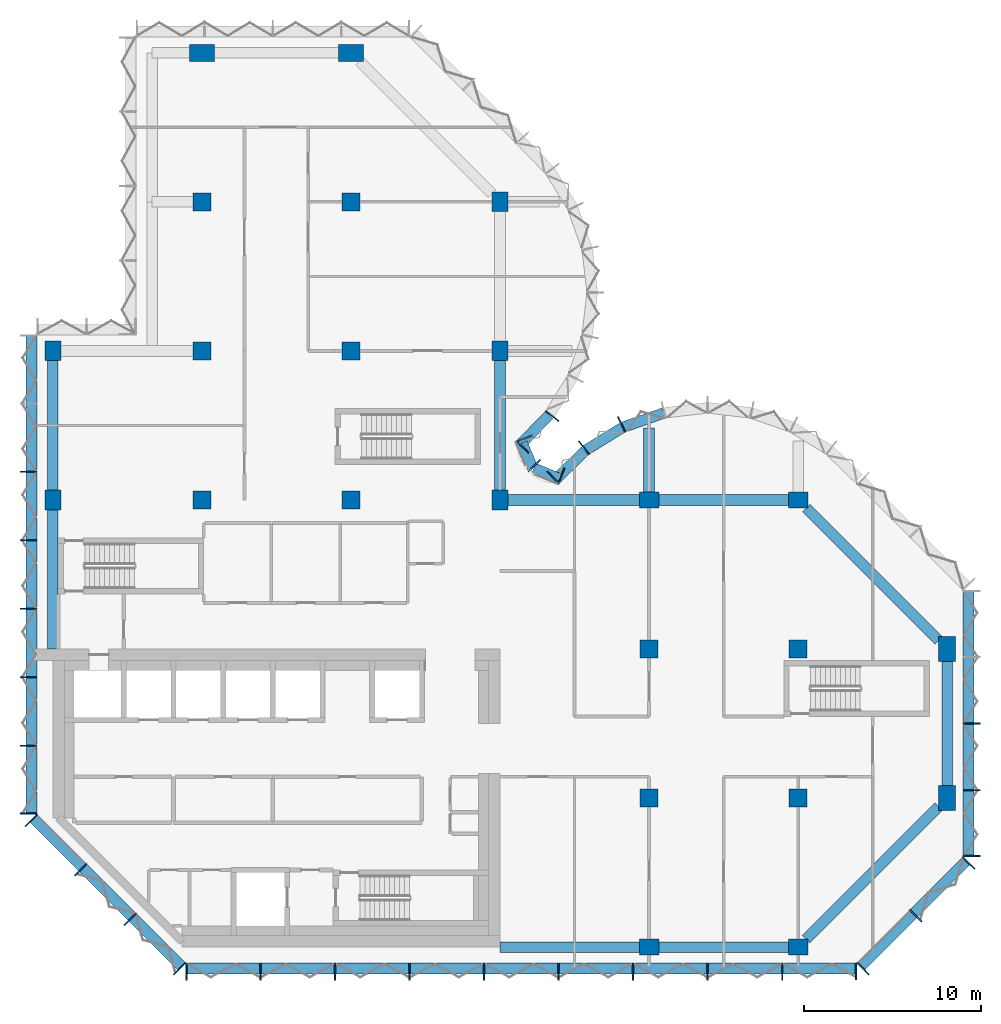
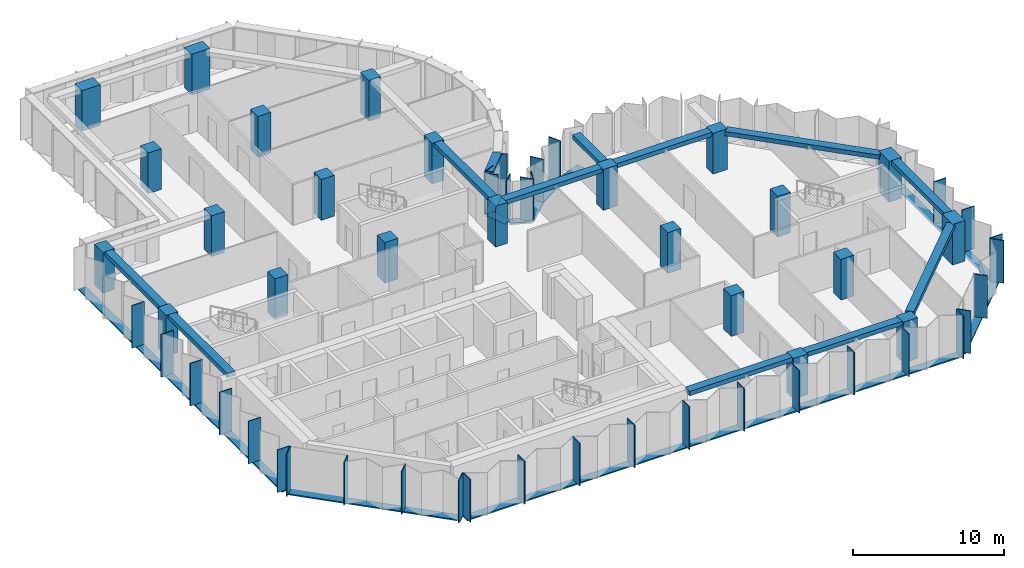
# One storey, part 1 of 10: 46 members, 23 columns, 11 beams, 8 elements without a shape of their own.
"""IFC4 building model written with IfcOpenShell, lengths in metres."""

import ifcopenshell
import ifcopenshell.guid

model = None  # the IFC model being written
_history = None  # IfcOwnerHistory: only IFC2X3 demands one
_inside = {}  # id of a spatial element -> (the spatial element, [elements in it])
_under = {}  # id of a project, library or spatial element -> (it, [spatial elements below it])
_declared = {}  # id of a project -> (the project, [libraries it declares])
_typed = {}  # id of a type object -> (the type object, [elements of that type])
_made_of = {}  # id of a material, layer set ... -> (it, [elements and type objects made of it])


def new_model(schema):
    """Start an empty IFC model of exactly this schema.

    Asked for "IFC4X3", IfcOpenShell would pick the latest addendum, in which some entities
    have other attributes; the version numbers below select the first issue.
    IFC2X3 requires an IfcOwnerHistory on every rooted entity: one is made here for all.
    """
    global model, _history
    if schema == "IFC4X3":
        model = ifcopenshell.file(schema_version=(4, 3, 0, 0))
    else:
        model = ifcopenshell.file(schema=schema)
    _inside.clear()
    _under.clear()
    _declared.clear()
    _typed.clear()
    _made_of.clear()
    _history = None
    if model.schema == "IFC2X3":
        org = make("IfcOrganization", Name="unknown")
        user = make(
            "IfcPersonAndOrganization",
            ThePerson=make("IfcPerson", FamilyName="unknown"),
            TheOrganization=org,
        )
        app = make(
            "IfcApplication",
            ApplicationDeveloper=org,
            Version="unknown",
            ApplicationFullName="unknown",
            ApplicationIdentifier="unknown",
        )
        _history = make(
            "IfcOwnerHistory",
            OwningUser=user,
            OwningApplication=app,
            ChangeAction="ADDED",
            CreationDate=0,
        )
    return model


def make(cls, **values):
    """One entity of the class cls with the attributes given. An attribute that is None is left unset."""
    return model.create_entity(
        cls, **{name: value for name, value in values.items() if value is not None}
    )


def rooted(cls, **values):
    """An entity with a GlobalId (a new one), such as an element, a storey or a relation."""
    return make(cls, GlobalId=ifcopenshell.guid.new(), OwnerHistory=_history, **values)


def si_unit(unit_type, name, prefix=None):
    """IfcSIUnit, for example si_unit("LENGTHUNIT", "METRE", prefix="MILLI")."""
    return make("IfcSIUnit", UnitType=unit_type, Prefix=prefix, Name=name)


def assignment(units):
    """IfcUnitAssignment: the units of a project."""
    return None if units is None else make("IfcUnitAssignment", Units=units)


def point(xyz):
    """IfcCartesianPoint."""
    return None if xyz is None else make("IfcCartesianPoint", Coordinates=xyz)


def direction(xyz):
    """IfcDirection."""
    return None if xyz is None else make("IfcDirection", DirectionRatios=xyz)


def frame(location, z_axis=None, x_axis=None):
    """IfcAxis2Placement3D, a coordinate frame: its origin and axes. An axis left out is left unset."""
    return make(
        "IfcAxis2Placement3D",
        Location=point(location),
        Axis=direction(z_axis),
        RefDirection=direction(x_axis),
    )


def frame_2d(location, x_axis=None):
    """IfcAxis2Placement2D, a coordinate frame in the plane: its origin and x axis."""
    return make(
        "IfcAxis2Placement2D", Location=point(location), RefDirection=direction(x_axis)
    )


def origin():
    """The frame at (0, 0, 0) with its axes left unset."""
    return frame((0.0, 0.0, 0.0))


def origin_2d():
    """The frame at (0, 0) in the plane with its x axis left unset."""
    return frame_2d((0.0, 0.0))


def place(relative_to, where):
    """IfcLocalPlacement: puts the frame where relative to a parent placement (None: the world)."""
    return make(
        "IfcLocalPlacement", PlacementRelTo=relative_to, RelativePlacement=where
    )


def context(
    kind, dimensions, precision=None, world=None, true_north=None, identifier=None
):
    """IfcGeometricRepresentationContext, for example the 3D "Model" context."""
    return make(
        "IfcGeometricRepresentationContext",
        ContextIdentifier=identifier,
        ContextType=kind,
        CoordinateSpaceDimension=dimensions,
        Precision=precision,
        WorldCoordinateSystem=world,
        TrueNorth=true_north,
    )


def subcontext(parent, identifier, kind, view, scale=None):
    """IfcGeometricRepresentationSubContext, for example "Body" below "Model"."""
    return make(
        "IfcGeometricRepresentationSubContext",
        ContextIdentifier=identifier,
        ContextType=kind,
        ParentContext=parent,
        TargetScale=scale,
        TargetView=view,
    )


def project(units=None, contexts=None):
    """IfcProject with its units and contexts."""
    return rooted(
        "IfcProject",
        Name="project",
        RepresentationContexts=contexts,
        UnitsInContext=assignment(units),
    )


def spatial(cls, under=None, at=None, **own):
    """A site, building, storey or space (cls), placed at a placement, below another one or the project."""
    s = rooted(cls, ObjectPlacement=at, **own)
    if under is not None:
        _under.setdefault(under.id(), (under, []))[1].append(s)
    return s


def profile(cls, at=None, kind="AREA", **sizes):
    """A parametric profile (cls). Its sizes go by their IFC names, for example OverallWidth=200.0."""
    return make(cls, ProfileType=kind, Position=at, **sizes)


def rectangle(**sizes):
    """IfcRectangleProfileDef."""
    return profile("IfcRectangleProfileDef", **sizes)


def extrude(swept, where, along, depth):
    """IfcExtrudedAreaSolid: the profile swept, set in the frame where, extruded along a direction by depth."""
    return make(
        "IfcExtrudedAreaSolid",
        SweptArea=swept,
        Position=where,
        ExtrudedDirection=direction(along),
        Depth=depth,
    )


def shape(context_of_items, identifier, shape_type, items):
    """IfcShapeRepresentation: the items that make up one representation, for example the "Body"."""
    return make(
        "IfcShapeRepresentation",
        ContextOfItems=context_of_items,
        RepresentationIdentifier=identifier,
        RepresentationType=shape_type,
        Items=items,
    )


def material(Name=None, Category=None):
    """IfcMaterial."""
    return make("IfcMaterial", Name=Name, Category=Category)


def material_profile(
    of_material, cross_section, Name=None, Category=None, Priority=None
):
    """IfcMaterialProfile: a cross section and its material."""
    return make(
        "IfcMaterialProfile",
        Name=Name,
        Material=of_material,
        Profile=cross_section,
        Priority=Priority,
        Category=Category,
    )


def profile_set(profiles, Name=None, composite=None):
    """IfcMaterialProfileSet."""
    return make(
        "IfcMaterialProfileSet",
        Name=Name,
        MaterialProfiles=profiles,
        CompositeProfile=composite,
    )


def made_of(thing, what):
    """Note that an element or type object is made of a material, layer set ...; save() writes the relation."""
    if what is not None:
        _made_of.setdefault(what.id(), (what, []))[1].append(thing)
    return thing


def type_object(cls, material=None, **own):
    """A type object (cls), such as IfcWallType, which elements share."""
    return made_of(rooted(cls, **own), material)


def element(
    cls,
    number,
    at=None,
    inside=None,
    cuts=None,
    type_object=None,
    material=None,
    context=None,
    identifier="Body",
    shape_type=None,
    held_by="IfcProductDefinitionShape",
    body=None,
    shapes=None,
    **own,
):
    """One element of the class cls, such as IfcWall. Its Tag is "e" and its number.

    at: its placement. inside: the storey or other place that contains it. cuts: it is an
    opening in that element (IfcRelVoidsElement). A single representation is given by context,
    identifier, shape_type and body (its items); several are given by shapes. held_by: the class
    of the entity that holds the representations. save() writes the other relations.
    """
    e = rooted(cls, Tag="e%d" % number, ObjectPlacement=at, **own)
    if body is not None:
        shapes = [shape(context, identifier, shape_type, body)]
    if shapes is not None:
        e.Representation = make(held_by, Representations=shapes)
    if inside is not None:
        _inside.setdefault(inside.id(), (inside, []))[1].append(e)
    if cuts is not None:
        rooted(
            "IfcRelVoidsElement", RelatingBuildingElement=cuts, RelatedOpeningElement=e
        )
    if type_object is not None:
        _typed.setdefault(type_object.id(), (type_object, []))[1].append(e)
    return made_of(e, material)


def aggregate(whole, parts):
    """IfcRelAggregates: a whole, such as a stair, and the parts it consists of."""
    return rooted("IfcRelAggregates", RelatingObject=whole, RelatedObjects=parts)


def save(model, path):
    """Write the relations noted so far, then the file.

    IfcRelAggregates (storeys below a building ...), IfcRelContainedInSpatialStructure (elements
    in a storey), IfcRelDefinesByType, IfcRelAssociatesMaterial and IfcRelDeclares: one each for
    every whole, place, type object, material and project.
    """
    for whole, parts in _under.values():
        aggregate(whole, parts)
    for where, things in _inside.values():
        rooted(
            "IfcRelContainedInSpatialStructure",
            RelatedElements=things,
            RelatingStructure=where,
        )
    for kind, things in _typed.values():
        rooted("IfcRelDefinesByType", RelatedObjects=things, RelatingType=kind)
    for what, things in _made_of.values():
        rooted("IfcRelAssociatesMaterial", RelatedObjects=things, RelatingMaterial=what)
    for by, libraries in _declared.values():
        rooted("IfcRelDeclares", RelatingContext=by, RelatedDefinitions=libraries)
    model.write(path)


model = new_model("IFC4")

# Units and contexts
model_context = context("Model", 3, precision=1e-05, world=origin(), true_north=direction((0.0, 1.0)))
body_context = subcontext(model_context, "Body", "Model", "MODEL_VIEW")
ifc_project = project(units=[si_unit("LENGTHUNIT", "METRE"), si_unit("AREAUNIT", "SQUARE_METRE"), si_unit("VOLUMEUNIT", "CUBIC_METRE"), si_unit("PLANEANGLEUNIT", "RADIAN"), si_unit("MASSUNIT", "GRAM", prefix="KILO")], contexts=[model_context])

# Site, building, storey
site_placement = place(None, origin())
site = spatial("IfcSite", under=ifc_project, at=site_placement, CompositionType="ELEMENT")
building_placement = place(site_placement, origin())
building = spatial("IfcBuilding", under=site, at=building_placement, Name="Brevane Broadcast Tower", CompositionType="ELEMENT")
storey_placement = place(building_placement, frame((0.0, 0.0, 202.800048828125)))
storey = spatial("IfcBuildingStorey", under=building, at=storey_placement, Name="L51", CompositionType="ELEMENT", Elevation=202.800048828125)

# Columns
ifc_material_1 = material(Name="Concrete C60/75", Category="concrete")
ifc_material_profile_1 = material_profile(ifc_material_1, rectangle(XDim=0.89990234375, YDim=1.10009765625, at=origin_2d()), Name="RC 900x1100")
ifc_profile_set_1 = profile_set([ifc_material_profile_1], Name="Concrete C60/75")
column_type_1 = type_object("IfcColumnType", Name="RC COLUMN EDGE 900x1100 C60/75", PredefinedType="COLUMN", material=ifc_profile_set_1)
for number, where, z_axis, x_axis, name in (
    (1, (0.0, 25.199951171875, 0.0), (0.0, 0.0, 1.0), (1.0, 0.0, 0.0), "CE11 1/D"),
    (2, (0.0, 33.60009765625, 0.0), (0.0, 0.0, 1.0), (1.0, 0.0, 0.0), "CE11 1/E"),
    (3, (25.199951171875, 25.199951171875, 0.0), (0.0, 0.0, 1.0), (1.0, 0.0, 0.0), "CE11 4/D"),
    (4, (25.199951171875, 33.60009765625, 0.0), (0.0, 0.0, 1.0), (1.0, 0.0, 0.0), "CE11 4/E"),
    (5, (25.199951171875, 42.0, 0.0), (0.0, 0.0, 1.0), (1.0, 0.0, 0.0), "CE11 4/F"),
    (6, (33.60009765625, 0.0, 0.0), (0.0, 0.0, 1.0), (0.0, 1.0, 0.0), "CE11 5/A"),
    (7, (33.60009765625, 25.199951171875, 0.0), (0.0, 0.0, 1.0), (0.0, 1.0, 0.0), "CE11 5/D"),
    (8, (42.0, 0.0, 0.0), (0.0, 0.0, 1.0), (0.0, 1.0, 0.0), "CE11 6/A"),
    (9, (42.0, 25.199951171875, 0.0), (0.0, 0.0, 1.0), (0.0, 1.0, 0.0), "CE11 6/D"),
):
    element("IfcColumn", number, at=place(storey_placement, frame(where, z_axis=z_axis, x_axis=x_axis)), inside=storey, type_object=column_type_1, Name=name, PredefinedType="COLUMN", context=body_context, shape_type="SweptSolid", body=[
        extrude(rectangle(XDim=0.89990234375, YDim=1.10009765625, at=origin_2d()), origin(), (0.0, 0.0, 1.0), 3.300048828125),
    ])
ifc_material_profile_2 = material_profile(ifc_material_1, rectangle(XDim=1.0, YDim=1.0, at=origin_2d()), Name="RC 1000x1000")
ifc_profile_set_2 = profile_set([ifc_material_profile_2], Name="Concrete C60/75")
column_type_2 = type_object("IfcColumnType", Name="RC COLUMN INTERIOR 1000x1000 C60/75", PredefinedType="COLUMN", material=ifc_profile_set_2)
for number, where, z_axis, x_axis, name in (
    (10, (8.39990234375, 25.199951171875, 0.0), (0.0, 0.0, 1.0), (1.0, 0.0, 0.0), "CI12 2/D"),
    (11, (8.39990234375, 33.60009765625, 0.0), (0.0, 0.0, 1.0), (1.0, 0.0, 0.0), "CI12 2/E"),
    (12, (8.39990234375, 42.0, 0.0), (0.0, 0.0, 1.0), (1.0, 0.0, 0.0), "CI12 2/F"),
    (13, (16.800048828125, 25.199951171875, 0.0), (0.0, 0.0, 1.0), (1.0, 0.0, 0.0), "CI12 3/D"),
    (14, (16.800048828125, 33.60009765625, 0.0), (0.0, 0.0, 1.0), (1.0, 0.0, 0.0), "CI12 3/E"),
    (15, (16.800048828125, 42.0, 0.0), (0.0, 0.0, 1.0), (1.0, 0.0, 0.0), "CI12 3/F"),
    (16, (33.60009765625, 8.39990234375, 0.0), (0.0, 0.0, 1.0), (1.0, 0.0, 0.0), "CI12 5/B"),
    (17, (33.60009765625, 16.800048828125, 0.0), (0.0, 0.0, 1.0), (1.0, 0.0, 0.0), "CI12 5/C"),
    (18, (42.0, 8.39990234375, 0.0), (0.0, 0.0, 1.0), (1.0, 0.0, 0.0), "CI12 6/B"),
    (19, (42.0, 16.800048828125, 0.0), (0.0, 0.0, 1.0), (1.0, 0.0, 0.0), "CI12 6/C"),
):
    element("IfcColumn", number, at=place(storey_placement, frame(where, z_axis=z_axis, x_axis=x_axis)), inside=storey, type_object=column_type_2, Name=name, PredefinedType="COLUMN", context=body_context, shape_type="SweptSolid", body=[
        extrude(rectangle(XDim=1.0, YDim=1.0, at=origin_2d()), origin(), (0.0, 0.0, 1.0), 3.300048828125),
    ])
ifc_material_profile_3 = material_profile(ifc_material_1, rectangle(XDim=0.949951171875, YDim=1.39990234375, at=origin_2d()), Name="RC 950x1400")
ifc_profile_set_3 = profile_set([ifc_material_profile_3], Name="Concrete C60/75")
column_type_3 = type_object("IfcColumnType", Name="RC COLUMN WING-END 950x1400 C60/75", PredefinedType="COLUMN", material=ifc_profile_set_3)
for number, where, z_axis, x_axis, name in (
    (20, (8.39990234375, 50.39990234375, 0.0), (0.0, 0.0, 1.0), (0.0, 1.0, 0.0), "CW13 2/G"),
    (21, (16.800048828125, 50.39990234375, 0.0), (0.0, 0.0, 1.0), (0.0, 1.0, 0.0), "CW13 3/G"),
    (22, (50.39990234375, 8.39990234375, 0.0), (0.0, 0.0, 1.0), (1.0, 0.0, 0.0), "CW13 7/B"),
    (23, (50.39990234375, 16.800048828125, 0.0), (0.0, 0.0, 1.0), (1.0, 0.0, 0.0), "CW13 7/C"),
):
    element("IfcColumn", number, at=place(storey_placement, frame(where, z_axis=z_axis, x_axis=x_axis)), inside=storey, type_object=column_type_3, Name=name, PredefinedType="COLUMN", context=body_context, shape_type="SweptSolid", body=[
        extrude(rectangle(XDim=0.949951171875, YDim=1.39990234375, at=origin_2d()), origin(), (0.0, 0.0, 1.0), 3.300048828125),
    ])

# Curtain wall, members
ifc_material_2 = material(Name="Aluminium 6063-T6 bronze anodised", Category="aluminium")
curtain_wall_type = type_object("IfcCurtainWallType", Name="CW-1 curtain wall", PredefinedType="NOTDEFINED", material=ifc_material_2)
curtain_wall_1_placement = place(storey_placement, origin())
curtain_wall_1 = element("IfcCurtainWall", 24, at=curtain_wall_1_placement, inside=storey, type_object=curtain_wall_type, Name="CW-1 typical tilted unit L51 south face", PredefinedType="NOTDEFINED")
ifc_material_profile_4 = material_profile(ifc_material_2, rectangle(XDim=0.949951171875, YDim=0.070068359375, at=origin_2d()), Name="RECT 70x950")
ifc_profile_set_4 = profile_set([ifc_material_profile_4], Name="Aluminium 6063-T6 bronze anodised")
member_type_1 = type_object("IfcMemberType", Name="CW-1 mullion 70x950", PredefinedType="MULLION", material=ifc_profile_set_4)
member_1_placement = place(storey_placement, frame((7.534912109375, -1.375, -0.150146484375), z_axis=(0.0, 0.0, 1.0), x_axis=(0.0, 1.0, 0.0)))
member_1 = element("IfcMember", 25, at=member_1_placement, type_object=member_type_1, Name="CW-1 mullion", PredefinedType="MULLION", context=body_context, shape_type="SweptSolid", body=[
    extrude(rectangle(XDim=0.949951171875, YDim=0.070068359375, at=origin_2d()), origin(), (0.0, 0.0, 1.0), 3.4501953125),
])
member_2_placement = place(storey_placement, frame((11.699951171875, -1.375, -0.150146484375), z_axis=(0.0, 0.0, 1.0), x_axis=(0.0, 1.0, 0.0)))
member_2 = element("IfcMember", 26, at=member_2_placement, type_object=member_type_1, Name="CW-1 mullion", PredefinedType="MULLION", context=body_context, shape_type="SweptSolid", body=[
    extrude(rectangle(XDim=0.949951171875, YDim=0.070068359375, at=origin_2d()), origin(), (0.0, 0.0, 1.0), 3.4501953125),
])
member_3_placement = place(storey_placement, frame((15.89990234375, -1.375, -0.150146484375), z_axis=(0.0, 0.0, 1.0), x_axis=(0.0, 1.0, 0.0)))
member_3 = element("IfcMember", 27, at=member_3_placement, type_object=member_type_1, Name="CW-1 mullion", PredefinedType="MULLION", context=body_context, shape_type="SweptSolid", body=[
    extrude(rectangle(XDim=0.949951171875, YDim=0.070068359375, at=origin_2d()), origin(), (0.0, 0.0, 1.0), 3.4501953125),
])
member_4_placement = place(storey_placement, frame((20.10009765625, -1.375, -0.150146484375), z_axis=(0.0, 0.0, 1.0), x_axis=(0.0, 1.0, 0.0)))
member_4 = element("IfcMember", 28, at=member_4_placement, type_object=member_type_1, Name="CW-1 mullion", PredefinedType="MULLION", context=body_context, shape_type="SweptSolid", body=[
    extrude(rectangle(XDim=0.949951171875, YDim=0.070068359375, at=origin_2d()), origin(), (0.0, 0.0, 1.0), 3.4501953125),
])
member_5_placement = place(storey_placement, frame((24.300048828125, -1.375, -0.150146484375), z_axis=(0.0, 0.0, 1.0), x_axis=(0.0, 1.0, 0.0)))
member_5 = element("IfcMember", 29, at=member_5_placement, type_object=member_type_1, Name="CW-1 mullion", PredefinedType="MULLION", context=body_context, shape_type="SweptSolid", body=[
    extrude(rectangle(XDim=0.949951171875, YDim=0.070068359375, at=origin_2d()), origin(), (0.0, 0.0, 1.0), 3.4501953125),
])
member_6_placement = place(storey_placement, frame((28.5, -1.375, -0.150146484375), z_axis=(0.0, 0.0, 1.0), x_axis=(0.0, 1.0, 0.0)))
member_6 = element("IfcMember", 30, at=member_6_placement, type_object=member_type_1, Name="CW-1 mullion", PredefinedType="MULLION", context=body_context, shape_type="SweptSolid", body=[
    extrude(rectangle(XDim=0.949951171875, YDim=0.070068359375, at=origin_2d()), origin(), (0.0, 0.0, 1.0), 3.4501953125),
])
member_7_placement = place(storey_placement, frame((32.699951171875, -1.375, -0.150146484375), z_axis=(0.0, 0.0, 1.0), x_axis=(0.0, 1.0, 0.0)))
member_7 = element("IfcMember", 31, at=member_7_placement, type_object=member_type_1, Name="CW-1 mullion", PredefinedType="MULLION", context=body_context, shape_type="SweptSolid", body=[
    extrude(rectangle(XDim=0.949951171875, YDim=0.070068359375, at=origin_2d()), origin(), (0.0, 0.0, 1.0), 3.4501953125),
])
member_8_placement = place(storey_placement, frame((36.89990234375, -1.375, -0.150146484375), z_axis=(0.0, 0.0, 1.0), x_axis=(0.0, 1.0, 0.0)))
member_8 = element("IfcMember", 32, at=member_8_placement, type_object=member_type_1, Name="CW-1 mullion", PredefinedType="MULLION", context=body_context, shape_type="SweptSolid", body=[
    extrude(rectangle(XDim=0.949951171875, YDim=0.070068359375, at=origin_2d()), origin(), (0.0, 0.0, 1.0), 3.4501953125),
])
member_9_placement = place(storey_placement, frame((41.10009765625, -1.375, -0.150146484375), z_axis=(0.0, 0.0, 1.0), x_axis=(0.0, 1.0, 0.0)))
member_9 = element("IfcMember", 33, at=member_9_placement, type_object=member_type_1, Name="CW-1 mullion", PredefinedType="MULLION", context=body_context, shape_type="SweptSolid", body=[
    extrude(rectangle(XDim=0.949951171875, YDim=0.070068359375, at=origin_2d()), origin(), (0.0, 0.0, 1.0), 3.4501953125),
])
member_10_placement = place(storey_placement, frame((45.264892578125, -1.375, -0.150146484375), z_axis=(0.0, 0.0, 1.0), x_axis=(0.0, 1.0, 0.0)))
member_10 = element("IfcMember", 34, at=member_10_placement, type_object=member_type_1, Name="CW-1 mullion", PredefinedType="MULLION", context=body_context, shape_type="SweptSolid", body=[
    extrude(rectangle(XDim=0.949951171875, YDim=0.070068359375, at=origin_2d()), origin(), (0.0, 0.0, 1.0), 3.4501953125),
])

curtain_wall_2_placement = place(storey_placement, origin())
curtain_wall_2 = element("IfcCurtainWall", 35, at=curtain_wall_2_placement, inside=storey, type_object=curtain_wall_type, Name="CW-1 typical tilted unit L51 south-east chamfer", PredefinedType="NOTDEFINED")
member_11_placement = place(storey_placement, frame((45.66064453125, -1.211181640625, -0.150146484375), z_axis=(0.0, 0.0, 1.0), x_axis=(-0.707106781187, 0.707106781187, 0.0)))
member_11 = element("IfcMember", 36, at=member_11_placement, type_object=member_type_1, Name="CW-1 mullion", PredefinedType="MULLION", context=body_context, shape_type="SweptSolid", body=[
    extrude(rectangle(XDim=0.949951171875, YDim=0.070068359375, at=origin_2d()), origin(), (0.0, 0.0, 1.0), 3.4501953125),
])
member_12_placement = place(storey_placement, frame((48.635986328125, 1.76416015625, -0.150146484375), z_axis=(0.0, 0.0, 1.0), x_axis=(-0.707106781187, 0.707106781187, 0.0)))
member_12 = element("IfcMember", 37, at=member_12_placement, type_object=member_type_1, Name="CW-1 mullion", PredefinedType="MULLION", context=body_context, shape_type="SweptSolid", body=[
    extrude(rectangle(XDim=0.949951171875, YDim=0.070068359375, at=origin_2d()), origin(), (0.0, 0.0, 1.0), 3.4501953125),
])
member_13_placement = place(storey_placement, frame((51.611083984375, 4.7392578125, -0.150146484375), z_axis=(0.0, 0.0, 1.0), x_axis=(-0.707106781187, 0.707106781187, 0.0)))
member_13 = element("IfcMember", 38, at=member_13_placement, type_object=member_type_1, Name="CW-1 mullion", PredefinedType="MULLION", context=body_context, shape_type="SweptSolid", body=[
    extrude(rectangle(XDim=0.949951171875, YDim=0.070068359375, at=origin_2d()), origin(), (0.0, 0.0, 1.0), 3.4501953125),
])

curtain_wall_3_placement = place(storey_placement, origin())
curtain_wall_3 = element("IfcCurtainWall", 39, at=curtain_wall_3_placement, inside=storey, type_object=curtain_wall_type, Name="CW-1 typical tilted unit L51 east end", PredefinedType="NOTDEFINED")
member_14_placement = place(storey_placement, frame((51.77490234375, 5.135009765625, -0.150146484375), z_axis=(0.0, 0.0, 1.0), x_axis=(-1.0, 0.0, 0.0)))
member_14 = element("IfcMember", 40, at=member_14_placement, type_object=member_type_1, Name="CW-1 mullion", PredefinedType="MULLION", context=body_context, shape_type="SweptSolid", body=[
    extrude(rectangle(XDim=0.949951171875, YDim=0.070068359375, at=origin_2d()), origin(), (0.0, 0.0, 1.0), 3.4501953125),
])
member_15_placement = place(storey_placement, frame((51.77490234375, 8.85009765625, -0.150146484375), z_axis=(0.0, 0.0, 1.0), x_axis=(-1.0, 0.0, 0.0)))
member_15 = element("IfcMember", 41, at=member_15_placement, type_object=member_type_1, Name="CW-1 mullion", PredefinedType="MULLION", context=body_context, shape_type="SweptSolid", body=[
    extrude(rectangle(XDim=0.949951171875, YDim=0.070068359375, at=origin_2d()), origin(), (0.0, 0.0, 1.0), 3.4501953125),
])
member_16_placement = place(storey_placement, frame((51.77490234375, 12.60009765625, -0.150146484375), z_axis=(0.0, 0.0, 1.0), x_axis=(-1.0, 0.0, 0.0)))
member_16 = element("IfcMember", 42, at=member_16_placement, type_object=member_type_1, Name="CW-1 mullion", PredefinedType="MULLION", context=body_context, shape_type="SweptSolid", body=[
    extrude(rectangle(XDim=0.949951171875, YDim=0.070068359375, at=origin_2d()), origin(), (0.0, 0.0, 1.0), 3.4501953125),
])

curtain_wall_4_placement = place(storey_placement, origin())
curtain_wall_4 = element("IfcCurtainWall", 43, at=curtain_wall_4_placement, inside=storey, type_object=curtain_wall_type, Name="CW-1 typical tilted unit L51 east bow", PredefinedType="NOTDEFINED")
member_17_placement = place(storey_placement, frame((32.05322265625, 29.4580078125, -0.150146484375), z_axis=(0.0, 0.0, 1.0), x_axis=(0.429933580394, -0.902860518823, 0.0)))
member_17 = element("IfcMember", 44, at=member_17_placement, type_object=member_type_1, Name="CW-1 mullion", PredefinedType="MULLION", context=body_context, shape_type="SweptSolid", body=[
    extrude(rectangle(XDim=0.949951171875, YDim=0.070068359375, at=origin_2d()), origin(), (0.0, 0.0, 1.0), 3.4501953125),
])
member_18_placement = place(storey_placement, frame((29.927978515625, 28.1455078125, -0.150146484375), z_axis=(0.0, 0.0, 1.0), x_axis=(0.614769698862, -0.788706673841, 0.0)))
member_18 = element("IfcMember", 45, at=member_18_placement, type_object=member_type_1, Name="CW-1 mullion", PredefinedType="MULLION", context=body_context, shape_type="SweptSolid", body=[
    extrude(rectangle(XDim=0.949951171875, YDim=0.070068359375, at=origin_2d()), origin(), (0.0, 0.0, 1.0), 3.4501953125),
])
member_19_placement = place(storey_placement, frame((28.194091796875, 26.465087890625, -0.150146484375), z_axis=(0.0, 0.0, 1.0), x_axis=(0.696812089895, -0.717253728729, 0.0)))
member_19 = element("IfcMember", 46, at=member_19_placement, type_object=member_type_1, Name="CW-1 mullion", PredefinedType="MULLION", context=body_context, shape_type="SweptSolid", body=[
    extrude(rectangle(XDim=0.949951171875, YDim=0.070068359375, at=origin_2d()), origin(), (0.0, 0.0, 1.0), 3.4501953125),
])

curtain_wall_5_placement = place(storey_placement, origin())
curtain_wall_5 = element("IfcCurtainWall", 47, at=curtain_wall_5_placement, inside=storey, type_object=curtain_wall_type, Name="CW-1 typical tilted unit L51 inner corner", PredefinedType="NOTDEFINED")
member_20_placement = place(storey_placement, frame((28.6494140625, 26.55224609375, -0.150146484375), z_axis=(0.0, 0.0, 1.0), x_axis=(-0.382683432365, -0.923879532511, 0.0)))
member_20 = element("IfcMember", 48, at=member_20_placement, type_object=member_type_1, Name="CW-1 mullion", PredefinedType="MULLION", context=body_context, shape_type="SweptSolid", body=[
    extrude(rectangle(XDim=0.949951171875, YDim=0.070068359375, at=origin_2d()), origin(), (0.0, 0.0, 1.0), 3.4501953125),
])
member_21_placement = place(storey_placement, frame((27.138916015625, 27.138916015625, -0.150146484375), z_axis=(0.0, 0.0, 1.0), x_axis=(-0.707106781187, -0.707106781187, 0.0)))
member_21 = element("IfcMember", 49, at=member_21_placement, type_object=member_type_1, Name="CW-1 mullion", PredefinedType="MULLION", context=body_context, shape_type="SweptSolid", body=[
    extrude(rectangle(XDim=0.949951171875, YDim=0.070068359375, at=origin_2d()), origin(), (0.0, 0.0, 1.0), 3.4501953125),
])
member_22_placement = place(storey_placement, frame((26.55224609375, 28.6494140625, -0.150146484375), z_axis=(0.0, 0.0, 1.0), x_axis=(-0.923879532511, -0.382683432365, 0.0)))
member_22 = element("IfcMember", 50, at=member_22_placement, type_object=member_type_1, Name="CW-1 mullion", PredefinedType="MULLION", context=body_context, shape_type="SweptSolid", body=[
    extrude(rectangle(XDim=0.949951171875, YDim=0.070068359375, at=origin_2d()), origin(), (0.0, 0.0, 1.0), 3.4501953125),
])

curtain_wall_6_placement = place(storey_placement, origin())
curtain_wall_6 = element("IfcCurtainWall", 51, at=curtain_wall_6_placement, inside=storey, type_object=curtain_wall_type, Name="CW-1 typical tilted unit L51 north bow", PredefinedType="NOTDEFINED")
member_23_placement = place(storey_placement, frame((26.465087890625, 28.194091796875, -0.150146484375), z_axis=(0.0, 0.0, 1.0), x_axis=(-0.717253728729, 0.696812089895, 0.0)))
member_23 = element("IfcMember", 52, at=member_23_placement, type_object=member_type_1, Name="CW-1 mullion", PredefinedType="MULLION", context=body_context, shape_type="SweptSolid", body=[
    extrude(rectangle(XDim=0.949951171875, YDim=0.070068359375, at=origin_2d()), origin(), (0.0, 0.0, 1.0), 3.35009765625),
])
member_24_placement = place(storey_placement, frame((28.1455078125, 29.927978515625, -0.150146484375), z_axis=(0.0, 0.0, 1.0), x_axis=(-0.788706673841, 0.614769698862, 0.0)))
member_24 = element("IfcMember", 53, at=member_24_placement, type_object=member_type_1, Name="CW-1 mullion", PredefinedType="MULLION", context=body_context, shape_type="SweptSolid", body=[
    extrude(rectangle(XDim=0.949951171875, YDim=0.070068359375, at=origin_2d()), origin(), (0.0, 0.0, 1.0), 3.35009765625),
])

curtain_wall_7_placement = place(storey_placement, origin())
curtain_wall_7 = element("IfcCurtainWall", 54, at=curtain_wall_7_placement, inside=storey, type_object=curtain_wall_type, Name="CW-1 typical tilted unit L51 west face", PredefinedType="NOTDEFINED")
member_25_placement = place(storey_placement, frame((-1.375, 26.78564453125, -0.150146484375), z_axis=(0.0, 0.0, 1.0), x_axis=(1.0, 0.0, 0.0)))
member_25 = element("IfcMember", 55, at=member_25_placement, type_object=member_type_1, Name="CW-1 mullion", PredefinedType="MULLION", context=body_context, shape_type="SweptSolid", body=[
    extrude(rectangle(XDim=0.949951171875, YDim=0.070068359375, at=origin_2d()), origin(), (0.0, 0.0, 1.0), 3.4501953125),
])
member_26_placement = place(storey_placement, frame((-1.375, 22.928466796875, -0.150146484375), z_axis=(0.0, 0.0, 1.0), x_axis=(1.0, 0.0, 0.0)))
member_26 = element("IfcMember", 56, at=member_26_placement, type_object=member_type_1, Name="CW-1 mullion", PredefinedType="MULLION", context=body_context, shape_type="SweptSolid", body=[
    extrude(rectangle(XDim=0.949951171875, YDim=0.070068359375, at=origin_2d()), origin(), (0.0, 0.0, 1.0), 3.4501953125),
])
member_27_placement = place(storey_placement, frame((-1.375, 19.071533203125, -0.150146484375), z_axis=(0.0, 0.0, 1.0), x_axis=(1.0, 0.0, 0.0)))
member_27 = element("IfcMember", 57, at=member_27_placement, type_object=member_type_1, Name="CW-1 mullion", PredefinedType="MULLION", context=body_context, shape_type="SweptSolid", body=[
    extrude(rectangle(XDim=0.949951171875, YDim=0.070068359375, at=origin_2d()), origin(), (0.0, 0.0, 1.0), 3.4501953125),
])
member_28_placement = place(storey_placement, frame((-1.375, 15.21435546875, -0.150146484375), z_axis=(0.0, 0.0, 1.0), x_axis=(1.0, 0.0, 0.0)))
member_28 = element("IfcMember", 58, at=member_28_placement, type_object=member_type_1, Name="CW-1 mullion", PredefinedType="MULLION", context=body_context, shape_type="SweptSolid", body=[
    extrude(rectangle(XDim=0.949951171875, YDim=0.070068359375, at=origin_2d()), origin(), (0.0, 0.0, 1.0), 3.4501953125),
])
member_29_placement = place(storey_placement, frame((-1.375, 11.357177734375, -0.150146484375), z_axis=(0.0, 0.0, 1.0), x_axis=(1.0, 0.0, 0.0)))
member_29 = element("IfcMember", 59, at=member_29_placement, type_object=member_type_1, Name="CW-1 mullion", PredefinedType="MULLION", context=body_context, shape_type="SweptSolid", body=[
    extrude(rectangle(XDim=0.949951171875, YDim=0.070068359375, at=origin_2d()), origin(), (0.0, 0.0, 1.0), 3.4501953125),
])
member_30_placement = place(storey_placement, frame((-1.375, 7.534912109375, -0.150146484375), z_axis=(0.0, 0.0, 1.0), x_axis=(1.0, 0.0, 0.0)))
member_30 = element("IfcMember", 60, at=member_30_placement, type_object=member_type_1, Name="CW-1 mullion", PredefinedType="MULLION", context=body_context, shape_type="SweptSolid", body=[
    extrude(rectangle(XDim=0.949951171875, YDim=0.070068359375, at=origin_2d()), origin(), (0.0, 0.0, 1.0), 3.4501953125),
])

curtain_wall_8_placement = place(storey_placement, origin())
curtain_wall_8 = element("IfcCurtainWall", 61, at=curtain_wall_8_placement, inside=storey, type_object=curtain_wall_type, Name="CW-1 typical tilted unit L51 south-west chamfer", PredefinedType="NOTDEFINED")
member_31_placement = place(storey_placement, frame((-1.211181640625, 7.139404296875, -0.150146484375), z_axis=(0.0, 0.0, 1.0), x_axis=(0.707106781187, 0.707106781187, 0.0)))
member_31 = element("IfcMember", 62, at=member_31_placement, type_object=member_type_1, Name="CW-1 mullion", PredefinedType="MULLION", context=body_context, shape_type="SweptSolid", body=[
    extrude(rectangle(XDim=0.949951171875, YDim=0.070068359375, at=origin_2d()), origin(), (0.0, 0.0, 1.0), 3.4501953125),
])
member_32_placement = place(storey_placement, frame((1.564208984375, 4.364013671875, -0.150146484375), z_axis=(0.0, 0.0, 1.0), x_axis=(0.707106781187, 0.707106781187, 0.0)))
member_32 = element("IfcMember", 63, at=member_32_placement, type_object=member_type_1, Name="CW-1 mullion", PredefinedType="MULLION", context=body_context, shape_type="SweptSolid", body=[
    extrude(rectangle(XDim=0.949951171875, YDim=0.070068359375, at=origin_2d()), origin(), (0.0, 0.0, 1.0), 3.4501953125),
])
member_33_placement = place(storey_placement, frame((4.364013671875, 1.564208984375, -0.150146484375), z_axis=(0.0, 0.0, 1.0), x_axis=(0.707106781187, 0.707106781187, 0.0)))
member_33 = element("IfcMember", 64, at=member_33_placement, type_object=member_type_1, Name="CW-1 mullion", PredefinedType="MULLION", context=body_context, shape_type="SweptSolid", body=[
    extrude(rectangle(XDim=0.949951171875, YDim=0.070068359375, at=origin_2d()), origin(), (0.0, 0.0, 1.0), 3.4501953125),
])
member_34_placement = place(storey_placement, frame((7.139404296875, -1.211181640625, -0.150146484375), z_axis=(0.0, 0.0, 1.0), x_axis=(0.707106781187, 0.707106781187, 0.0)))
member_34 = element("IfcMember", 65, at=member_34_placement, type_object=member_type_1, Name="CW-1 mullion", PredefinedType="MULLION", context=body_context, shape_type="SweptSolid", body=[
    extrude(rectangle(XDim=0.949951171875, YDim=0.070068359375, at=origin_2d()), origin(), (0.0, 0.0, 1.0), 3.4501953125),
])

# Member
ifc_material_profile_5 = material_profile(ifc_material_2, rectangle(XDim=0.60009765625, YDim=0.10009765625, at=origin_2d()), Name="RECT 100x600")
ifc_profile_set_5 = profile_set([ifc_material_profile_5], Name="Aluminium 6063-T6 bronze anodised")
member_type_2 = type_object("IfcMemberType", Name="CW-1 transom 100x600", PredefinedType="USERDEFINED", material=ifc_profile_set_5)
member_35_placement = place(storey_placement, frame((7.5, -1.199951171875, -0.199951171875), z_axis=(1.0, 0.0, 0.0), x_axis=(0.0, 1.0, 0.0)))
member_35 = element("IfcMember", 66, at=member_35_placement, type_object=member_type_2, Name="CW-1 transom", ObjectType="TRANSOM", PredefinedType="USERDEFINED", context=body_context, shape_type="SweptSolid", body=[
    extrude(rectangle(XDim=0.60009765625, YDim=0.10009765625, at=origin_2d()), origin(), (0.0, 0.0, 1.0), 37.800048828125),
])

aggregate(curtain_wall_1, [member_1, member_2, member_3, member_4, member_5, member_6, member_7, member_8, member_9, member_10, member_35])

member_36_placement = place(storey_placement, frame((45.51220703125, -1.112060546875, -0.199951171875), z_axis=(0.707106781187, 0.707106781187, 0.0), x_axis=(-0.707106781187, 0.707106781187, 0.0)))
member_36 = element("IfcMember", 67, at=member_36_placement, type_object=member_type_2, Name="CW-1 transom", ObjectType="TRANSOM", PredefinedType="USERDEFINED", context=body_context, shape_type="SweptSolid", body=[
    extrude(rectangle(XDim=0.60009765625, YDim=0.10009765625, at=origin_2d()), origin(), (0.0, 0.0, 1.0), 8.4853515625),
])

aggregate(curtain_wall_2, [member_11, member_12, member_13, member_36])

member_37_placement = place(storey_placement, frame((51.60009765625, 5.10009765625, -0.199951171875), z_axis=(0.0, 1.0, 0.0), x_axis=(-1.0, 0.0, 0.0)))
member_37 = element("IfcMember", 68, at=member_37_placement, type_object=member_type_2, Name="CW-1 transom", ObjectType="TRANSOM", PredefinedType="USERDEFINED", context=body_context, shape_type="SweptSolid", body=[
    extrude(rectangle(XDim=0.60009765625, YDim=0.10009765625, at=origin_2d()), origin(), (0.0, 0.0, 1.0), 15.0),
])

aggregate(curtain_wall_3, [member_14, member_15, member_16, member_37])

member_38_placement = place(storey_placement, frame((34.425048828125, 30.10302734375, -0.199951171875), z_axis=(-0.944197969542, -0.329378497041, 0.0), x_axis=(0.329378497041, -0.944197969542, 0.0)))
member_38 = element("IfcMember", 69, at=member_38_placement, type_object=member_type_2, Name="CW-1 transom", ObjectType="TRANSOM", PredefinedType="USERDEFINED", context=body_context, shape_type="SweptSolid", body=[
    extrude(rectangle(XDim=0.60009765625, YDim=0.10009765625, at=origin_2d()), origin(), (0.0, 0.0, 1.0), 2.394775390625),
])

member_39_placement = place(storey_placement, frame((32.09521484375, 29.281494140625, -0.199951171875), z_axis=(-0.850838211365, -0.525427766759, 0.0), x_axis=(0.525427766759, -0.850838211365, 0.0)))
member_39 = element("IfcMember", 70, at=member_39_placement, type_object=member_type_2, Name="CW-1 transom", ObjectType="TRANSOM", PredefinedType="USERDEFINED", context=body_context, shape_type="SweptSolid", body=[
    extrude(rectangle(XDim=0.60009765625, YDim=0.10009765625, at=origin_2d()), origin(), (0.0, 0.0, 1.0), 2.394775390625),
])

member_40_placement = place(storey_placement, frame((29.99951171875, 27.974365234375, -0.199951171875), z_axis=(-0.71724215871, -0.696823999134, 0.0), x_axis=(0.696823999134, -0.71724215871, 0.0)))
member_40 = element("IfcMember", 71, at=member_40_placement, type_object=member_type_2, Name="CW-1 transom", ObjectType="TRANSOM", PredefinedType="USERDEFINED", context=body_context, shape_type="SweptSolid", body=[
    extrude(rectangle(XDim=0.60009765625, YDim=0.10009765625, at=origin_2d()), origin(), (0.0, 0.0, 1.0), 2.247802734375),
])

aggregate(curtain_wall_4, [member_17, member_18, member_19, member_38, member_39, member_40])

member_41_placement = place(storey_placement, frame((28.528076171875, 26.40673828125, -0.199951171875), z_axis=(-0.923883243627, 0.382674472816, 0.0), x_axis=(-0.382674472816, -0.923883243627, 0.0)))
member_41 = element("IfcMember", 72, at=member_41_placement, type_object=member_type_2, Name="CW-1 transom", ObjectType="TRANSOM", PredefinedType="USERDEFINED", context=body_context, shape_type="SweptSolid", body=[
    extrude(rectangle(XDim=0.60009765625, YDim=0.10009765625, at=origin_2d()), origin(), (0.0, 0.0, 1.0), 1.536865234375),
])

member_42_placement = place(storey_placement, frame((27.039794921875, 27.0, -0.199951171875), z_axis=(-0.382674472816, 0.923883243627, 0.0), x_axis=(-0.923883243627, -0.382674472816, 0.0)))
member_42 = element("IfcMember", 73, at=member_42_placement, type_object=member_type_2, Name="CW-1 transom", ObjectType="TRANSOM", PredefinedType="USERDEFINED", context=body_context, shape_type="SweptSolid", body=[
    extrude(rectangle(XDim=0.60009765625, YDim=0.10009765625, at=origin_2d()), origin(), (0.0, 0.0, 1.0), 1.536865234375),
])

aggregate(curtain_wall_5, [member_20, member_21, member_22, member_41, member_42])

member_43_placement = place(storey_placement, frame((26.407958984375, 28.38720703125, -0.199951171875), z_axis=(0.696823999134, 0.71724215871, 0.0), x_axis=(-0.71724215871, 0.696823999134, 0.0)))
member_43 = element("IfcMember", 74, at=member_43_placement, type_object=member_type_2, Name="CW-1 transom", ObjectType="TRANSOM", PredefinedType="USERDEFINED", context=body_context, shape_type="SweptSolid", body=[
    extrude(rectangle(XDim=0.60009765625, YDim=0.10009765625, at=origin_2d()), origin(), (0.0, 0.0, 1.0), 2.247802734375),
])

member_44_placement = place(storey_placement, frame((26.407958984375, 28.38720703125, 3.25), z_axis=(0.696823999134, 0.71724215871, 0.0), x_axis=(-0.71724215871, 0.696823999134, 0.0)))
member_44 = element("IfcMember", 75, at=member_44_placement, type_object=member_type_2, Name="CW-1 transom", ObjectType="TRANSOM", PredefinedType="USERDEFINED", context=body_context, shape_type="SweptSolid", body=[
    extrude(rectangle(XDim=0.60009765625, YDim=0.10009765625, at=origin_2d()), origin(), (0.0, 0.0, 1.0), 2.247802734375),
])

aggregate(curtain_wall_6, [member_23, member_24, member_43, member_44])

member_45_placement = place(storey_placement, frame((-1.199951171875, 34.5, -0.199951171875), z_axis=(0.0, -1.0, 0.0), x_axis=(1.0, 0.0, 0.0)))
member_45 = element("IfcMember", 76, at=member_45_placement, type_object=member_type_2, Name="CW-1 transom", ObjectType="TRANSOM", PredefinedType="USERDEFINED", context=body_context, shape_type="SweptSolid", body=[
    extrude(rectangle(XDim=0.60009765625, YDim=0.10009765625, at=origin_2d()), origin(), (0.0, 0.0, 1.0), 27.0),
])

aggregate(curtain_wall_7, [member_25, member_26, member_27, member_28, member_29, member_30, member_45])

member_46_placement = place(storey_placement, frame((-1.112060546875, 7.287841796875, -0.199951171875), z_axis=(0.707106781187, -0.707106781187, 0.0), x_axis=(0.707106781187, 0.707106781187, 0.0)))
member_46 = element("IfcMember", 77, at=member_46_placement, type_object=member_type_2, Name="CW-1 transom", ObjectType="TRANSOM", PredefinedType="USERDEFINED", context=body_context, shape_type="SweptSolid", body=[
    extrude(rectangle(XDim=0.60009765625, YDim=0.10009765625, at=origin_2d()), origin(), (0.0, 0.0, 1.0), 11.879150390625),
])

aggregate(curtain_wall_8, [member_31, member_32, member_33, member_34, member_46])

# Beams
ifc_material_3 = material(Name="Concrete C40/50", Category="concrete")
ifc_material_profile_6 = material_profile(ifc_material_3, rectangle(XDim=0.60009765625, YDim=0.35009765625, at=origin_2d()), Name="RC 600x350")
ifc_profile_set_6 = profile_set([ifc_material_profile_6], Name="Concrete C40/50")
beam_type_1 = type_object("IfcBeamType", Name="RC BRACKET BEAM 600x350 C40/50", PredefinedType="BEAM", material=ifc_profile_set_6)
beam_1_placement = place(storey_placement, frame((33.60009765625, 25.64990234375, 3.125), z_axis=(0.0, 1.0, 0.0), x_axis=(-1.0, 0.0, 0.0)))
element("IfcBeam", 78, at=beam_1_placement, inside=storey, type_object=beam_type_1, Name="EB2 L51-3", PredefinedType="BEAM", context=body_context, shape_type="SweptSolid", body=[
    extrude(rectangle(XDim=0.60009765625, YDim=0.35009765625, at=origin_2d()), origin(), (0.0, 0.0, 1.0), 3.612060546875),
])
ifc_material_profile_7 = material_profile(ifc_material_3, rectangle(XDim=0.60009765625, YDim=0.35009765625, at=origin_2d()), Name="RC 600x350")
ifc_profile_set_7 = profile_set([ifc_material_profile_7], Name="Concrete C40/50")
beam_type_2 = type_object("IfcBeamType", Name="RC SPANDREL BEAM 600x350 C40/50", PredefinedType="SPANDREL", material=ifc_profile_set_7)
beam_2_placement = place(storey_placement, frame((25.199951171875, 0.0, 3.125), z_axis=(1.0, 0.0, 0.0), x_axis=(0.0, 1.0, 0.0)))
element("IfcBeam", 79, at=beam_2_placement, inside=storey, type_object=beam_type_2, Name="EB1 L51-1", PredefinedType="SPANDREL", context=body_context, shape_type="SweptSolid", body=[
    extrude(rectangle(XDim=0.60009765625, YDim=0.35009765625, at=origin_2d()), origin(), (0.0, 0.0, 1.0), 7.85009765625),
])
beam_3_placement = place(storey_placement, frame((34.14990234375, 0.0, 3.125), z_axis=(1.0, 0.0, 0.0), x_axis=(0.0, 1.0, 0.0)))
element("IfcBeam", 80, at=beam_3_placement, inside=storey, type_object=beam_type_2, Name="EB1 L51-2", PredefinedType="SPANDREL", context=body_context, shape_type="SweptSolid", body=[
    extrude(rectangle(XDim=0.60009765625, YDim=0.35009765625, at=origin_2d()), origin(), (0.0, 0.0, 1.0), 7.300048828125),
])
beam_4_placement = place(storey_placement, frame((42.449951171875, 0.449951171875, 3.125), z_axis=(0.707106781187, 0.707106781187, 0.0), x_axis=(-0.707106781187, 0.707106781187, 0.0)))
element("IfcBeam", 81, at=beam_4_placement, inside=storey, type_object=beam_type_2, Name="EB1 L51-3", PredefinedType="SPANDREL", context=body_context, shape_type="SweptSolid", body=[
    extrude(rectangle(XDim=0.60009765625, YDim=0.35009765625, at=origin_2d()), origin(), (0.0, 0.0, 1.0), 10.5712890625),
])
beam_5_placement = place(storey_placement, frame((50.39990234375, 9.10009765625, 3.125), z_axis=(0.0, 1.0, 0.0), x_axis=(-1.0, 0.0, 0.0)))
element("IfcBeam", 82, at=beam_5_placement, inside=storey, type_object=beam_type_2, Name="EB1 L51-4", PredefinedType="SPANDREL", context=body_context, shape_type="SweptSolid", body=[
    extrude(rectangle(XDim=0.60009765625, YDim=0.35009765625, at=origin_2d()), origin(), (0.0, 0.0, 1.0), 7.0),
])
beam_6_placement = place(storey_placement, frame((49.925048828125, 17.27490234375, 3.125), z_axis=(-0.707106781187, 0.707106781187, 0.0), x_axis=(-0.707106781187, -0.707106781187, 0.0)))
element("IfcBeam", 83, at=beam_6_placement, inside=storey, type_object=beam_type_2, Name="EB1 L51-5", PredefinedType="SPANDREL", context=body_context, shape_type="SweptSolid", body=[
    extrude(rectangle(XDim=0.60009765625, YDim=0.35009765625, at=origin_2d()), origin(), (0.0, 0.0, 1.0), 10.5712890625),
])
beam_7_placement = place(storey_placement, frame((41.449951171875, 25.199951171875, 3.125), z_axis=(-1.0, 0.0, 0.0), x_axis=(0.0, -1.0, 0.0)))
element("IfcBeam", 84, at=beam_7_placement, inside=storey, type_object=beam_type_2, Name="EB1 L51-6", PredefinedType="SPANDREL", context=body_context, shape_type="SweptSolid", body=[
    extrude(rectangle(XDim=0.60009765625, YDim=0.35009765625, at=origin_2d()), origin(), (0.0, 0.0, 1.0), 7.300048828125),
])
beam_8_placement = place(storey_placement, frame((33.050048828125, 25.199951171875, 3.125), z_axis=(-1.0, 0.0, 0.0), x_axis=(0.0, -1.0, 0.0)))
element("IfcBeam", 85, at=beam_8_placement, inside=storey, type_object=beam_type_2, Name="EB1 L51-7", PredefinedType="SPANDREL", context=body_context, shape_type="SweptSolid", body=[
    extrude(rectangle(XDim=0.60009765625, YDim=0.35009765625, at=origin_2d()), origin(), (0.0, 0.0, 1.0), 7.400146484375),
])
for number, where, z_axis, x_axis, name in (
    (86, (25.199951171875, 25.75, 3.125), (0.0, 1.0, 0.0), (-1.0, 0.0, 0.0), "EB1 L51-8"),
    (87, (0.0, 33.050048828125, 3.125), (0.0, -1.0, 0.0), (1.0, 0.0, 0.0), "EB1 L51-12"),
):
    element("IfcBeam", number, at=place(storey_placement, frame(where, z_axis=z_axis, x_axis=x_axis)), inside=storey, type_object=beam_type_2, Name=name, PredefinedType="SPANDREL", context=body_context, shape_type="SweptSolid", body=[
        extrude(rectangle(XDim=0.60009765625, YDim=0.35009765625, at=origin_2d()), origin(), (0.0, 0.0, 1.0), 7.300048828125),
    ])
beam_9_placement = place(storey_placement, frame((0.0, 24.64990234375, 3.125), z_axis=(0.0, -1.0, 0.0), x_axis=(1.0, 0.0, 0.0)))
element("IfcBeam", 88, at=beam_9_placement, inside=storey, type_object=beam_type_2, Name="EB1 L51-13", PredefinedType="SPANDREL", context=body_context, shape_type="SweptSolid", body=[
    extrude(rectangle(XDim=0.60009765625, YDim=0.35009765625, at=origin_2d()), origin(), (0.0, 0.0, 1.0), 7.849853515625),
])

save(model, "model.ifc")
